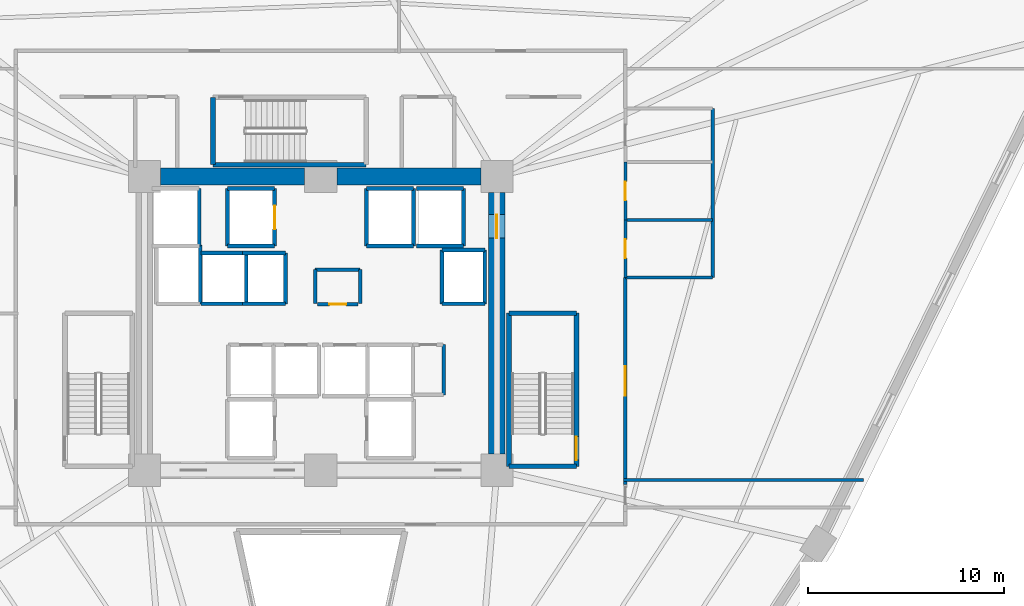
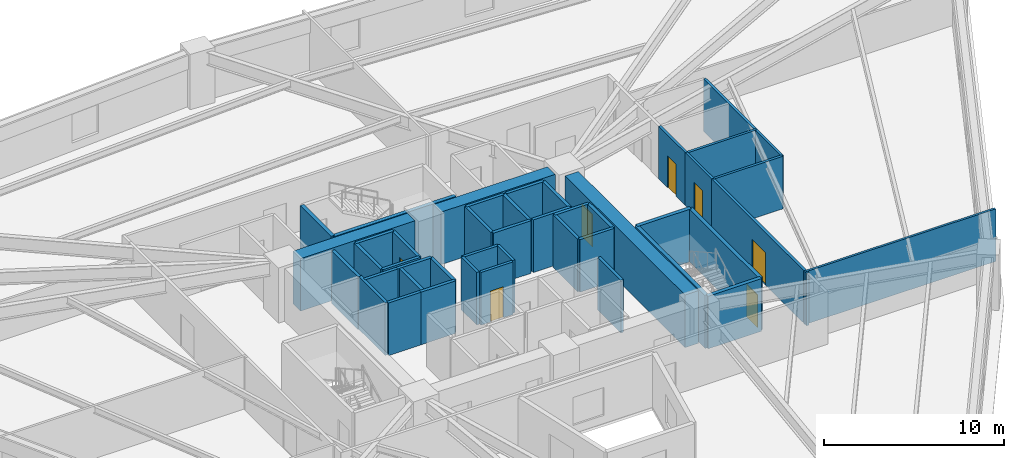
# One storey, part 5 of 8: 44 walls, 7 doors, 7 openings.
"""IFC4 building model written with IfcOpenShell, lengths in metres."""

from ifc_helpers import new_model, si_unit, direction, frame, frame_2d, origin, place, context, subcontext, project, spatial, rectangle, extrude, source, transform, mapped, material, layer, layer_set, type_object, element, fill, save


model = new_model("IFC4")

# Units and contexts
model_context = context("Model", 3, precision=1e-05, world=origin(), true_north=direction((0.0, 1.0)))
body_context = subcontext(model_context, "Body", "Model", "MODEL_VIEW")
ifc_project = project(units=[si_unit("LENGTHUNIT", "METRE"), si_unit("AREAUNIT", "SQUARE_METRE"), si_unit("VOLUMEUNIT", "CUBIC_METRE"), si_unit("PLANEANGLEUNIT", "RADIAN"), si_unit("MASSUNIT", "GRAM", prefix="KILO")], contexts=[model_context])

# Site, building, storey
site_placement = place(None, origin())
site = spatial("IfcSite", under=ifc_project, at=site_placement, CompositionType="ELEMENT")
building_placement = place(site_placement, origin())
building = spatial("IfcBuilding", under=site, at=building_placement, Name="Liaohun Quay Tower", CompositionType="ELEMENT")
storey_placement = place(building_placement, frame((0.0, 0.0, 63.0)))
storey = spatial("IfcBuildingStorey", under=building, at=storey_placement, Name="L16", CompositionType="ELEMENT", Elevation=63.0)

# Walls
ifc_material_1 = material(Name="Concrete C60", Category="concrete")
ifc_layer_1 = layer(ifc_material_1, 0.85009765625, Name="Concrete C60", Category="concrete")
ifc_layer_set_1 = layer_set([ifc_layer_1], Name="Concrete C60")
wall_type_1 = type_object("IfcWallType", Name="WAL-COR-Z1", PredefinedType="SHEAR", material=ifc_layer_set_1)
for number, where, z_axis, x_axis, name in (
    (1, (51.824951171875, 61.5, 0.0), (0.0, 0.0, 1.0), (1.0, 0.0, 0.0), "L16 Central Core Shear Wall N-W"),
    (2, (60.824951171875, 61.5, 0.0), (0.0, 0.0, 1.0), (1.0, 0.0, 0.0), "L16 Central Core Shear Wall N-E"),
):
    element("IfcWall", number, at=place(storey_placement, frame(where, z_axis=z_axis, x_axis=x_axis)), inside=storey, type_object=wall_type_1, Name=name, PredefinedType="SHEAR", context=body_context, shape_type="SweptSolid", body=[
        extrude(rectangle(XDim=7.35009765625, YDim=0.85009765625, at=frame_2d((3.675048828125, 0.0))), origin(), (0.0, 0.0, 1.0), 3.570068359375),
    ])

# Wall, opening, door
wall_1_placement = place(storey_placement, frame((69.0, 60.675048828125, 0.0), z_axis=(0.0, 0.0, 1.0), x_axis=(0.0, -1.0, 0.0)))
wall_1 = element("IfcWall", 3, at=wall_1_placement, inside=storey, type_object=wall_type_1, Name="L16 Central Core Shear Wall E", PredefinedType="SHEAR", context=body_context, shape_type="SweptSolid", body=[
    extrude(rectangle(XDim=13.35009765625, YDim=0.85009765625, at=frame_2d((6.675048828125, 0.0))), origin(), (0.0, 0.0, 1.0), 3.570068359375),
])
shared_shape_1 = source(origin(), body_context, "Body", "SweptSolid", [
    extrude(rectangle(XDim=1.199951171875, YDim=2.199951171875, at=frame_2d((0.60009765625, 1.10009765625))), frame((0.0, 0.43505859375, 0.0), z_axis=(0.0, -1.0, 0.0), x_axis=(1.0, 0.0, 0.0)), (0.0, 0.0, 1.0), 0.8701171875),
])
opening_1_placement = place(wall_1_placement, frame((1.125, 0.0, 0.0)))
opening_1 = element("IfcOpeningElement", 4, at=opening_1_placement, cuts=wall_1, Name="Opening SD1", PredefinedType="OPENING", context=body_context, shape_type="MappedRepresentation", body=[
    mapped(shared_shape_1, transform((0.0, 0.0, 0.0), x_axis=(1.0, 0.0, 0.0), y_axis=(0.0, 1.0, 0.0), z_axis=(0.0, 0.0, 1.0), scale=1.0)),
])
ifc_material_2 = material(Name="Galvanised steel fire door", Category="steel")
door_type_1 = type_object("IfcDoorType", Name="DOR-STR-1200", OperationType="NOTDEFINED", PredefinedType="DOOR", material=ifc_material_2)
shared_shape_2 = source(origin(), body_context, "Body", "SweptSolid", [
    extrude(rectangle(XDim=1.199951171875, YDim=2.199951171875, at=frame_2d((0.60009765625, 1.10009765625))), frame((0.0, 0.02490234375, 0.0), z_axis=(0.0, -1.0, 0.0), x_axis=(1.0, 0.0, 0.0)), (0.0, 0.0, 1.0), 0.050048828125),
])
door_1_placement = place(opening_1_placement, origin())
door_1 = element("IfcDoor", 5, at=door_1_placement, inside=storey, type_object=door_type_1, Name="L16 North-East Core Lobby Smokeproof Door", OperationType="SINGLE_SWING_LEFT", OverallHeight=2.199951171875, OverallWidth=1.199951171875, PredefinedType="DOOR", context=body_context, shape_type="MappedRepresentation", body=[
    mapped(shared_shape_2, transform((0.0, 0.0, 0.0), x_axis=(1.0, 0.0, 0.0), y_axis=(0.0, 1.0, 0.0), z_axis=(0.0, 0.0, 1.0), scale=1.0)),
])
fill(opening_1, door_1)

ifc_material_3 = material(Name="Autoclaved aerated concrete blockwork", Category="masonry")
ifc_layer_2 = layer(ifc_material_3, 0.179931640625, Name="Autoclaved aerated concrete blockwork", Category="masonry")
ifc_layer_set_2 = layer_set([ifc_layer_2], Name="Autoclaved aerated concrete blockwork")
wall_type_2 = type_object("IfcWallType", Name="WAL-PRT-COR", PredefinedType="PARTITIONING", material=ifc_layer_set_2)
wall_2_placement = place(storey_placement, frame((59.840087890625, 54.97998046875, 0.0), z_axis=(0.0, 0.0, 1.0), x_axis=(1.0, 0.0, 0.0)))
wall_2 = element("IfcWall", 6, at=wall_2_placement, inside=storey, type_object=wall_type_2, Name="L16 Interior Partition Wall 001", PredefinedType="PARTITIONING", context=body_context, shape_type="SweptSolid", body=[
    extrude(rectangle(XDim=2.059814453125, YDim=0.179931640625, at=frame_2d((1.02978515625, 0.0))), origin(), (0.0, 0.0, 1.0), 3.570068359375),
])
shared_shape_3 = source(origin(), body_context, "Body", "SweptSolid", [
    extrude(rectangle(XDim=0.85009765625, YDim=2.10009765625, at=frame_2d((0.425048828125, 1.050048828125))), frame((0.0, 0.099853515625, 0.0), z_axis=(0.0, -1.0, 0.0), x_axis=(1.0, 0.0, 0.0)), (0.0, 0.0, 1.0), 0.199951171875),
])
opening_2_placement = place(wall_2_placement, frame((0.60498046875, 0.0, 0.0)))
opening_2 = element("IfcOpeningElement", 7, at=opening_2_placement, cuts=wall_2, Name="Opening AD1", PredefinedType="OPENING", context=body_context, shape_type="MappedRepresentation", body=[
    mapped(shared_shape_3, transform((0.0, 0.0, 0.0), x_axis=(1.0, 0.0, 0.0), y_axis=(0.0, 1.0, 0.0), z_axis=(0.0, 0.0, 1.0), scale=1.0)),
])
ifc_material_4 = material(Name="Steel riser inspection fire door", Category="steel")
door_type_2 = type_object("IfcDoorType", Name="DOR-SHF-850", OperationType="NOTDEFINED", PredefinedType="DOOR", material=ifc_material_4)
shared_shape_4 = source(origin(), body_context, "Body", "SweptSolid", [
    extrude(rectangle(XDim=0.85009765625, YDim=2.10009765625, at=frame_2d((0.425048828125, 1.050048828125))), frame((0.0, 0.02490234375, 0.0), z_axis=(0.0, -1.0, 0.0), x_axis=(1.0, 0.0, 0.0)), (0.0, 0.0, 1.0), 0.050048828125),
])
door_2_placement = place(opening_2_placement, origin())
door_2 = element("IfcDoor", 8, at=door_2_placement, inside=storey, type_object=door_type_2, Name="L16 Electrical Meter Room Door", OperationType="SINGLE_SWING_LEFT", OverallHeight=2.10009765625, OverallWidth=0.85009765625, PredefinedType="DOOR", context=body_context, shape_type="MappedRepresentation", body=[
    mapped(shared_shape_4, transform((0.0, 0.0, 0.0), x_axis=(1.0, 0.0, 0.0), y_axis=(0.0, 1.0, 0.0), z_axis=(0.0, 0.0, 1.0), scale=1.0)),
])
fill(opening_2, door_2)

wall_3_placement = place(storey_placement, frame((75.56005859375, 56.340087890625, 0.0), z_axis=(0.0, 0.0, 1.0), x_axis=(0.0, -1.0, 0.0)))
wall_3 = element("IfcWall", 9, at=wall_3_placement, inside=storey, type_object=wall_type_2, Name="L16 Interior Partition Wall 010", PredefinedType="PARTITIONING", context=body_context, shape_type="SweptSolid", body=[
    extrude(rectangle(XDim=10.55517578125, YDim=0.179931640625, at=frame_2d((5.277587890625, 0.0))), origin(), (0.0, 0.0, 1.0), 3.570068359375),
])
shared_shape_5 = source(origin(), body_context, "Body", "SweptSolid", [
    extrude(rectangle(XDim=1.5, YDim=2.199951171875, at=frame_2d((0.75, 1.10009765625))), frame((0.0, 0.099853515625, 0.0), z_axis=(0.0, -1.0, 0.0), x_axis=(1.0, 0.0, 0.0)), (0.0, 0.0, 1.0), 0.199951171875),
])
opening_3_placement = place(wall_3_placement, frame((4.528076171875, 0.0, 0.0)))
opening_3 = element("IfcOpeningElement", 10, at=opening_3_placement, cuts=wall_3, Name="Opening OD2", PredefinedType="OPENING", context=body_context, shape_type="MappedRepresentation", body=[
    mapped(shared_shape_5, transform((0.0, 0.0, 0.0), x_axis=(1.0, 0.0, 0.0), y_axis=(0.0, 1.0, 0.0), z_axis=(0.0, 0.0, 1.0), scale=1.0)),
])
ifc_material_5 = material(Name="Acoustic oak veneer double door")
door_type_3 = type_object("IfcDoorType", Name="DOR-OFF-1500", OperationType="DOUBLE_DOOR_SINGLE_SWING", PredefinedType="DOOR", material=ifc_material_5)
shared_shape_6 = source(origin(), body_context, "Body", "SweptSolid", [
    extrude(rectangle(XDim=1.5, YDim=2.199951171875, at=frame_2d((0.75, 1.10009765625))), frame((0.0, 0.02490234375, 0.0), z_axis=(0.0, -1.0, 0.0), x_axis=(1.0, 0.0, 0.0)), (0.0, 0.0, 1.0), 0.050048828125),
])
door_3_placement = place(opening_3_placement, origin())
door_3 = element("IfcDoor", 11, at=door_3_placement, inside=storey, type_object=door_type_3, Name="L16 Architectural Design Studio 01 Door", OperationType="DOUBLE_DOOR_SINGLE_SWING", OverallHeight=2.199951171875, OverallWidth=1.5, PredefinedType="DOOR", context=body_context, shape_type="MappedRepresentation", body=[
    mapped(shared_shape_6, transform((0.0, 0.0, 0.0), x_axis=(1.0, 0.0, 0.0), y_axis=(0.0, 1.0, 0.0), z_axis=(0.0, 0.0, 1.0), scale=1.0)),
])
fill(opening_3, door_3)

# Walls
for number, where, z_axis, x_axis, name in (
    (12, (59.719970703125, 55.02001953125, 0.0), (0.0, 0.0, 1.0), (0.0, 1.0, 0.0), "L16 Interior Partition Wall 017"),
    (13, (62.010009765625, 55.02001953125, 0.0), (0.0, 0.0, 1.0), (0.0, 1.0, 0.0), "L16 Interior Partition Wall 018"),
):
    element("IfcWall", number, at=place(storey_placement, frame(where, z_axis=z_axis, x_axis=x_axis)), inside=storey, type_object=wall_type_2, Name=name, PredefinedType="PARTITIONING", context=body_context, shape_type="SweptSolid", body=[
        extrude(rectangle(XDim=1.72998046875, YDim=0.179931640625, at=frame_2d((0.864990234375, 0.0))), origin(), (0.0, 0.0, 1.0), 3.570068359375),
    ])
wall_4_placement = place(storey_placement, frame((59.719970703125, 56.75, 0.0), z_axis=(0.0, 0.0, 1.0), x_axis=(1.0, 0.0, 0.0)))
element("IfcWall", 14, at=wall_4_placement, inside=storey, type_object=wall_type_2, Name="L16 Interior Partition Wall 019", PredefinedType="PARTITIONING", context=body_context, shape_type="SweptSolid", body=[
    extrude(rectangle(XDim=2.2900390625, YDim=0.179931640625, at=frame_2d((1.14501953125, 0.0))), origin(), (0.0, 0.0, 1.0), 3.570068359375),
])
wall_5_placement = place(storey_placement, frame((66.280029296875, 50.35009765625, 0.0), z_axis=(0.0, 0.0, 1.0), x_axis=(0.0, 1.0, 0.0)))
element("IfcWall", 15, at=wall_5_placement, inside=storey, type_object=wall_type_2, Name="L16 Interior Partition Wall 021", PredefinedType="PARTITIONING", context=body_context, shape_type="SweptSolid", body=[
    extrude(rectangle(XDim=2.56982421875, YDim=0.179931640625, at=frame_2d((1.284912109375, 0.0))), origin(), (0.0, 0.0, 1.0), 3.570068359375),
])
ifc_material_6 = material(Name="Gypsum board on twin steel studs", Category="steel")
ifc_layer_3 = layer(ifc_material_6, 0.139892578125, Name="Gypsum board on twin steel studs", Category="steel")
ifc_layer_set_3 = layer_set([ifc_layer_3], Name="Gypsum board on twin steel studs")
wall_type_3 = type_object("IfcWallType", Name="WAL-PRT-OFF", PredefinedType="PARTITIONING", material=ifc_layer_set_3)
wall_6_placement = place(storey_placement, frame((75.4599609375, 46.0, 0.0), z_axis=(0.0, 0.0, 1.0), x_axis=(1.0, 0.0, 0.0)))
element("IfcWall", 16, at=wall_6_placement, inside=storey, type_object=wall_type_3, Name="L16 Interior Partition Wall 040", PredefinedType="PARTITIONING", context=body_context, shape_type="SweptSolid", body=[
    extrude(rectangle(XDim=12.255126953125, YDim=0.139892578125, at=frame_2d((6.12744140625, 0.0))), origin(), (0.0, 0.0, 1.0), 3.570068359375),
])

# Wall, opening, door
ifc_material_7 = material(Name="Moisture-resistant masonry blockwork", Category="masonry")
ifc_layer_4 = layer(ifc_material_7, 0.159912109375, Name="Moisture-resistant masonry blockwork", Category="masonry")
ifc_layer_set_4 = layer_set([ifc_layer_4], Name="Moisture-resistant masonry blockwork")
wall_type_4 = type_object("IfcWallType", Name="WAL-PRT-WET", PredefinedType="PARTITIONING", material=ifc_layer_set_4)
wall_7_placement = place(storey_placement, frame((75.56005859375, 56.340087890625, 0.0), z_axis=(0.0, 0.0, 1.0), x_axis=(0.0, 1.0, 0.0)))
wall_7 = element("IfcWall", 17, at=wall_7_placement, inside=storey, type_object=wall_type_4, Name="L16 Interior Partition Wall 003", PredefinedType="PARTITIONING", context=body_context, shape_type="SweptSolid", body=[
    extrude(rectangle(XDim=2.93994140625, YDim=0.159912109375, at=frame_2d((1.469970703125, 0.0))), origin(), (0.0, 0.0, 1.0), 3.570068359375),
])
shared_shape_7 = source(origin(), body_context, "Body", "SweptSolid", [
    extrude(rectangle(XDim=0.949951171875, YDim=2.14990234375, at=frame_2d((0.47509765625, 1.074951171875))), frame((0.0, 0.08984375, 0.0), z_axis=(0.0, -1.0, 0.0), x_axis=(1.0, 0.0, 0.0)), (0.0, 0.0, 1.0), 0.179931640625),
])
opening_4_placement = place(wall_7_placement, frame((0.9951171875, 0.0, 0.0)))
opening_4 = element("IfcOpeningElement", 18, at=opening_4_placement, cuts=wall_7, Name="Opening WD1", PredefinedType="OPENING", context=body_context, shape_type="MappedRepresentation", body=[
    mapped(shared_shape_7, transform((0.0, 0.0, 0.0), x_axis=(1.0, 0.0, 0.0), y_axis=(0.0, 1.0, 0.0), z_axis=(0.0, 0.0, 1.0), scale=1.0)),
])
ifc_material_8 = material(Name="Moisture-resistant laminate timber leaf", Category="wood")
door_type_4 = type_object("IfcDoorType", Name="DOR-WC-950", OperationType="NOTDEFINED", PredefinedType="DOOR", material=ifc_material_8)
shared_shape_8 = source(origin(), body_context, "Body", "SweptSolid", [
    extrude(rectangle(XDim=0.949951171875, YDim=2.14990234375, at=frame_2d((0.47509765625, 1.074951171875))), frame((0.0, 0.02490234375, 0.0), z_axis=(0.0, -1.0, 0.0), x_axis=(1.0, 0.0, 0.0)), (0.0, 0.0, 1.0), 0.050048828125),
])
door_4_placement = place(opening_4_placement, origin())
door_4 = element("IfcDoor", 19, at=door_4_placement, inside=storey, type_object=door_type_4, Name="L16 Male Restroom WC Door", OperationType="SINGLE_SWING_LEFT", OverallHeight=2.14990234375, OverallWidth=0.949951171875, PredefinedType="DOOR", context=body_context, shape_type="MappedRepresentation", body=[
    mapped(shared_shape_8, transform((0.0, 0.0, 0.0), x_axis=(1.0, 0.0, 0.0), y_axis=(0.0, 1.0, 0.0), z_axis=(0.0, 0.0, 1.0), scale=1.0)),
])
fill(opening_4, door_4)

wall_8_placement = place(storey_placement, frame((75.56005859375, 59.280029296875, 0.0), z_axis=(0.0, 0.0, 1.0), x_axis=(0.0, 1.0, 0.0)))
wall_8 = element("IfcWall", 20, at=wall_8_placement, inside=storey, type_object=wall_type_4, Name="L16 Interior Partition Wall 004", PredefinedType="PARTITIONING", context=body_context, shape_type="SweptSolid", body=[
    extrude(rectangle(XDim=2.9599609375, YDim=0.159912109375, at=frame_2d((1.47998046875, 0.0))), origin(), (0.0, 0.0, 1.0), 3.570068359375),
])
opening_5_placement = place(wall_8_placement, frame((1.0048828125, 0.0, 0.0)))
opening_5 = element("IfcOpeningElement", 21, at=opening_5_placement, cuts=wall_8, Name="Opening WD1", PredefinedType="OPENING", context=body_context, shape_type="MappedRepresentation", body=[
    mapped(shared_shape_7, transform((0.0, 0.0, 0.0), x_axis=(1.0, 0.0, 0.0), y_axis=(0.0, 1.0, 0.0), z_axis=(0.0, 0.0, 1.0), scale=1.0)),
])
door_5_placement = place(opening_5_placement, origin())
door_5 = element("IfcDoor", 22, at=door_5_placement, inside=storey, type_object=door_type_4, Name="L16 Female Restroom WC Door", OperationType="SINGLE_SWING_RIGHT", OverallHeight=2.14990234375, OverallWidth=0.949951171875, PredefinedType="DOOR", context=body_context, shape_type="MappedRepresentation", body=[
    mapped(shared_shape_8, transform((0.0, 0.0, 0.0), x_axis=(1.0, 0.0, 0.0), y_axis=(0.0, 1.0, 0.0), z_axis=(0.0, 0.0, 1.0), scale=1.0)),
])
fill(opening_5, door_5)

# Walls
wall_9_placement = place(storey_placement, frame((80.02001953125, 56.340087890625, 0.0), z_axis=(0.0, 0.0, 1.0), x_axis=(0.0, 1.0, 0.0)))
element("IfcWall", 23, at=wall_9_placement, inside=storey, type_object=wall_type_4, Name="L16 Interior Partition Wall 022", PredefinedType="PARTITIONING", context=body_context, shape_type="SweptSolid", body=[
    extrude(rectangle(XDim=8.639892578125, YDim=0.159912109375, at=frame_2d((4.31982421875, 0.0))), origin(), (0.0, 0.0, 1.0), 3.570068359375),
])
for number, where, z_axis, x_axis, name in (
    (24, (75.56005859375, 56.340087890625, 0.0), (0.0, 0.0, 1.0), (1.0, 0.0, 0.0), "L16 Interior Partition Wall 023"),
    (25, (75.56005859375, 59.280029296875, 0.0), (0.0, 0.0, 1.0), (1.0, 0.0, 0.0), "L16 Interior Partition Wall 024"),
):
    element("IfcWall", number, at=place(storey_placement, frame(where, z_axis=z_axis, x_axis=x_axis)), inside=storey, type_object=wall_type_4, Name=name, PredefinedType="PARTITIONING", context=body_context, shape_type="SweptSolid", body=[
        extrude(rectangle(XDim=4.4599609375, YDim=0.159912109375, at=frame_2d((2.22998046875, 0.0))), origin(), (0.0, 0.0, 1.0), 3.570068359375),
    ])
ifc_material_9 = material(Name="Concrete C50", Category="concrete")
ifc_layer_5 = layer(ifc_material_9, 0.239990234375, Name="Concrete C50", Category="concrete")
ifc_layer_set_5 = layer_set([ifc_layer_5], Name="Concrete C50")
wall_type_5 = type_object("IfcWallType", Name="WAL-SHF-200", PredefinedType="SOLIDWALL", material=ifc_layer_set_5)
wall_10_placement = place(storey_placement, frame((69.6201171875, 46.699951171875, 0.0), z_axis=(0.0, 0.0, 1.0), x_axis=(1.0, 0.0, 0.0)))
element("IfcWall", 26, at=wall_10_placement, inside=storey, type_object=wall_type_5, Name="L16 Stairwell ST-2 Structural Core Wall S", PredefinedType="SOLIDWALL", context=body_context, shape_type="SweptSolid", body=[
    extrude(rectangle(XDim=3.43994140625, YDim=0.239990234375, at=frame_2d((1.719970703125, 0.0))), origin(), (0.0, 0.0, 1.0), 3.570068359375),
])

# Wall, opening, door
wall_11_placement = place(storey_placement, frame((73.06005859375, 46.699951171875, 0.0), z_axis=(0.0, 0.0, 1.0), x_axis=(0.0, 1.0, 0.0)))
wall_11 = element("IfcWall", 27, at=wall_11_placement, inside=storey, type_object=wall_type_5, Name="L16 Stairwell ST-2 Structural Core Wall E", PredefinedType="SOLIDWALL", context=body_context, shape_type="SweptSolid", body=[
    extrude(rectangle(XDim=7.820068359375, YDim=0.239990234375, at=frame_2d((3.91015625, 0.0))), origin(), (0.0, 0.0, 1.0), 3.570068359375),
])
shared_shape_9 = source(origin(), body_context, "Body", "SweptSolid", [
    extrude(rectangle(XDim=1.199951171875, YDim=2.199951171875, at=frame_2d((0.60009765625, 1.10009765625))), frame((0.0, 0.1298828125, 0.0), z_axis=(0.0, -1.0, 0.0), x_axis=(1.0, 0.0, 0.0)), (0.0, 0.0, 1.0), 0.260009765625),
])
opening_6_placement = place(wall_11_placement, frame((0.320068359375, 0.0, 0.0)))
opening_6 = element("IfcOpeningElement", 28, at=opening_6_placement, cuts=wall_11, Name="Opening SD1", PredefinedType="OPENING", context=body_context, shape_type="MappedRepresentation", body=[
    mapped(shared_shape_9, transform((0.0, 0.0, 0.0), x_axis=(1.0, 0.0, 0.0), y_axis=(0.0, 1.0, 0.0), z_axis=(0.0, 0.0, 1.0), scale=1.0)),
])
door_6_placement = place(opening_6_placement, origin())
door_6 = element("IfcDoor", 29, at=door_6_placement, inside=storey, type_object=door_type_1, Name="L16 Protected Stair ST-2 Fire Door", OperationType="SINGLE_SWING_RIGHT", OverallHeight=2.199951171875, OverallWidth=1.199951171875, PredefinedType="DOOR", context=body_context, shape_type="MappedRepresentation", body=[
    mapped(shared_shape_2, transform((0.0, 0.0, 0.0), x_axis=(1.0, 0.0, 0.0), y_axis=(0.0, 1.0, 0.0), z_axis=(0.0, 0.0, 1.0), scale=1.0)),
])
fill(opening_6, door_6)

# Walls
wall_12_placement = place(storey_placement, frame((73.06005859375, 54.52001953125, 0.0), z_axis=(0.0, 0.0, 1.0), x_axis=(-1.0, 0.0, 0.0)))
element("IfcWall", 30, at=wall_12_placement, inside=storey, type_object=wall_type_5, Name="L16 Stairwell ST-2 Structural Core Wall N", PredefinedType="SOLIDWALL", context=body_context, shape_type="SweptSolid", body=[
    extrude(rectangle(XDim=3.43994140625, YDim=0.239990234375, at=frame_2d((1.719970703125, 0.0))), origin(), (0.0, 0.0, 1.0), 3.570068359375),
])
for number, where, z_axis, x_axis, name in (
    (31, (69.6201171875, 54.52001953125, 0.0), (0.0, 0.0, 1.0), (0.0, -1.0, 0.0), "L16 Stairwell ST-2 Structural Core Wall W"),
    (32, (54.5, 62.10009765625, 0.0), (0.0, 0.0, 1.0), (1.0, 0.0, 0.0), "L16 Stairwell ST-3 Structural Core Wall S"),
):
    element("IfcWall", number, at=place(storey_placement, frame(where, z_axis=z_axis, x_axis=x_axis)), inside=storey, type_object=wall_type_5, Name=name, PredefinedType="SOLIDWALL", context=body_context, shape_type="SweptSolid", body=[
        extrude(rectangle(XDim=7.820068359375, YDim=0.239990234375, at=frame_2d((3.91015625, 0.0))), origin(), (0.0, 0.0, 1.0), 3.570068359375),
    ])
wall_13_placement = place(storey_placement, frame((54.5, 65.5400390625, 0.0), z_axis=(0.0, 0.0, 1.0), x_axis=(0.0, -1.0, 0.0)))
element("IfcWall", 33, at=wall_13_placement, inside=storey, type_object=wall_type_5, Name="L16 Stairwell ST-3 Structural Core Wall W", PredefinedType="SOLIDWALL", context=body_context, shape_type="SweptSolid", body=[
    extrude(rectangle(XDim=3.43994140625, YDim=0.239990234375, at=frame_2d((1.719970703125, 0.0))), origin(), (0.0, 0.0, 1.0), 3.570068359375),
])
wall_14_placement = place(storey_placement, frame((55.25, 57.949951171875, 0.0), z_axis=(0.0, 0.0, 1.0), x_axis=(1.0, 0.0, 0.0)))
element("IfcWall", 34, at=wall_14_placement, inside=storey, type_object=wall_type_5, Name="L16 Lift FF-03 Hoistway Wall S", PredefinedType="SOLIDWALL", context=body_context, shape_type="SweptSolid", body=[
    extrude(rectangle(XDim=2.39990234375, YDim=0.199951171875, at=frame_2d((1.199951171875, 0.0))), origin(), (0.0, 0.0, 1.0), 3.570068359375),
])

# Wall, opening, door
wall_15_placement = place(storey_placement, frame((57.64990234375, 57.949951171875, 0.0), z_axis=(0.0, 0.0, 1.0), x_axis=(0.0, 1.0, 0.0)))
wall_15 = element("IfcWall", 35, at=wall_15_placement, inside=storey, type_object=wall_type_5, Name="L16 Lift FF-03 Hoistway Wall E", PredefinedType="SOLIDWALL", context=body_context, shape_type="SweptSolid", body=[
    extrude(rectangle(XDim=2.929931640625, YDim=0.199951171875, at=frame_2d((1.46484375, 0.0))), origin(), (0.0, 0.0, 1.0), 3.570068359375),
])
shared_shape_10 = source(origin(), body_context, "Body", "SweptSolid", [
    extrude(rectangle(XDim=1.199951171875, YDim=2.300048828125, at=frame_2d((0.60009765625, 1.14990234375))), frame((0.0, 0.10986328125, 0.0), z_axis=(0.0, -1.0, 0.0), x_axis=(1.0, 0.0, 0.0)), (0.0, 0.0, 1.0), 0.219970703125),
])
opening_7_placement = place(wall_15_placement, frame((0.864990234375, 0.0, 0.0)))
opening_7 = element("IfcOpeningElement", 36, at=opening_7_placement, cuts=wall_15, Name="Opening LD2", PredefinedType="OPENING", context=body_context, shape_type="MappedRepresentation", body=[
    mapped(shared_shape_10, transform((0.0, 0.0, 0.0), x_axis=(1.0, 0.0, 0.0), y_axis=(0.0, 1.0, 0.0), z_axis=(0.0, 0.0, 1.0), scale=1.0)),
])
ifc_material_10 = material(Name="Brushed stainless steel stretcher landing door", Category="steel")
door_type_5 = type_object("IfcDoorType", Name="DOR-LFT-1200", OperationType="SLIDING_TO_LEFT", PredefinedType="DOOR", material=ifc_material_10)
shared_shape_11 = source(origin(), body_context, "Body", "SweptSolid", [
    extrude(rectangle(XDim=1.199951171875, YDim=2.300048828125, at=frame_2d((0.60009765625, 1.14990234375))), frame((0.0, 0.02490234375, 0.0), z_axis=(0.0, -1.0, 0.0), x_axis=(1.0, 0.0, 0.0)), (0.0, 0.0, 1.0), 0.050048828125),
])
door_7_placement = place(opening_7_placement, origin())
door_7 = element("IfcDoor", 37, at=door_7_placement, inside=storey, type_object=door_type_5, Name="L16 Lift FF-03 Sliding Landing Door", OperationType="SLIDING_TO_LEFT", OverallHeight=2.300048828125, OverallWidth=1.199951171875, PredefinedType="DOOR", context=body_context, shape_type="MappedRepresentation", body=[
    mapped(shared_shape_11, transform((0.0, 0.0, 0.0), x_axis=(1.0, 0.0, 0.0), y_axis=(0.0, 1.0, 0.0), z_axis=(0.0, 0.0, 1.0), scale=1.0)),
])
fill(opening_7, door_7)

# Walls
wall_16_placement = place(storey_placement, frame((57.64990234375, 60.8798828125, 0.0), z_axis=(0.0, 0.0, 1.0), x_axis=(-1.0, 0.0, 0.0)))
element("IfcWall", 38, at=wall_16_placement, inside=storey, type_object=wall_type_5, Name="L16 Lift FF-03 Hoistway Wall N", PredefinedType="SOLIDWALL", context=body_context, shape_type="SweptSolid", body=[
    extrude(rectangle(XDim=2.39990234375, YDim=0.199951171875, at=frame_2d((1.199951171875, 0.0))), origin(), (0.0, 0.0, 1.0), 3.570068359375),
])
wall_17_placement = place(storey_placement, frame((55.25, 60.8798828125, 0.0), z_axis=(0.0, 0.0, 1.0), x_axis=(0.0, -1.0, 0.0)))
element("IfcWall", 39, at=wall_17_placement, inside=storey, type_object=wall_type_5, Name="L16 Lift FF-03 Hoistway Wall W", PredefinedType="SOLIDWALL", context=body_context, shape_type="SweptSolid", body=[
    extrude(rectangle(XDim=2.929931640625, YDim=0.199951171875, at=frame_2d((1.46484375, 0.0))), origin(), (0.0, 0.0, 1.0), 3.570068359375),
])
wall_18_placement = place(storey_placement, frame((62.35009765625, 57.949951171875, 0.0), z_axis=(0.0, 0.0, 1.0), x_axis=(1.0, 0.0, 0.0)))
element("IfcWall", 40, at=wall_18_placement, inside=storey, type_object=wall_type_5, Name="L16 Lift OB-01 Hoistway Wall S", PredefinedType="SOLIDWALL", context=body_context, shape_type="SweptSolid", body=[
    extrude(rectangle(XDim=2.39990234375, YDim=0.199951171875, at=frame_2d((1.199951171875, 0.0))), origin(), (0.0, 0.0, 1.0), 3.570068359375),
])
wall_19_placement = place(storey_placement, frame((64.75, 57.949951171875, 0.0), z_axis=(0.0, 0.0, 1.0), x_axis=(0.0, 1.0, 0.0)))
element("IfcWall", 41, at=wall_19_placement, inside=storey, type_object=wall_type_5, Name="L16 Lift OB-01 Hoistway Wall E", PredefinedType="SOLIDWALL", context=body_context, shape_type="SweptSolid", body=[
    extrude(rectangle(XDim=2.929931640625, YDim=0.199951171875, at=frame_2d((1.46484375, 0.0))), origin(), (0.0, 0.0, 1.0), 3.570068359375),
])
wall_20_placement = place(storey_placement, frame((64.75, 60.8798828125, 0.0), z_axis=(0.0, 0.0, 1.0), x_axis=(-1.0, 0.0, 0.0)))
element("IfcWall", 42, at=wall_20_placement, inside=storey, type_object=wall_type_5, Name="L16 Lift OB-01 Hoistway Wall N", PredefinedType="SOLIDWALL", context=body_context, shape_type="SweptSolid", body=[
    extrude(rectangle(XDim=2.39990234375, YDim=0.199951171875, at=frame_2d((1.199951171875, 0.0))), origin(), (0.0, 0.0, 1.0), 3.570068359375),
])
wall_21_placement = place(storey_placement, frame((62.35009765625, 60.8798828125, 0.0), z_axis=(0.0, 0.0, 1.0), x_axis=(0.0, -1.0, 0.0)))
element("IfcWall", 43, at=wall_21_placement, inside=storey, type_object=wall_type_5, Name="L16 Lift OB-01 Hoistway Wall W", PredefinedType="SOLIDWALL", context=body_context, shape_type="SweptSolid", body=[
    extrude(rectangle(XDim=2.929931640625, YDim=0.199951171875, at=frame_2d((1.46484375, 0.0))), origin(), (0.0, 0.0, 1.0), 3.570068359375),
])
wall_22_placement = place(storey_placement, frame((64.89990234375, 57.949951171875, 0.0), z_axis=(0.0, 0.0, 1.0), x_axis=(1.0, 0.0, 0.0)))
element("IfcWall", 44, at=wall_22_placement, inside=storey, type_object=wall_type_5, Name="L16 Lift OB-02 Hoistway Wall S", PredefinedType="SOLIDWALL", context=body_context, shape_type="SweptSolid", body=[
    extrude(rectangle(XDim=2.400146484375, YDim=0.199951171875, at=frame_2d((1.2001953125, 0.0))), origin(), (0.0, 0.0, 1.0), 3.570068359375),
])
wall_23_placement = place(storey_placement, frame((67.300048828125, 57.949951171875, 0.0), z_axis=(0.0, 0.0, 1.0), x_axis=(0.0, 1.0, 0.0)))
element("IfcWall", 45, at=wall_23_placement, inside=storey, type_object=wall_type_5, Name="L16 Lift OB-02 Hoistway Wall E", PredefinedType="SOLIDWALL", context=body_context, shape_type="SweptSolid", body=[
    extrude(rectangle(XDim=2.929931640625, YDim=0.199951171875, at=frame_2d((1.46484375, 0.0))), origin(), (0.0, 0.0, 1.0), 3.570068359375),
])
wall_24_placement = place(storey_placement, frame((67.300048828125, 60.8798828125, 0.0), z_axis=(0.0, 0.0, 1.0), x_axis=(-1.0, 0.0, 0.0)))
element("IfcWall", 46, at=wall_24_placement, inside=storey, type_object=wall_type_5, Name="L16 Lift OB-02 Hoistway Wall N", PredefinedType="SOLIDWALL", context=body_context, shape_type="SweptSolid", body=[
    extrude(rectangle(XDim=2.400146484375, YDim=0.199951171875, at=frame_2d((1.2001953125, 0.0))), origin(), (0.0, 0.0, 1.0), 3.570068359375),
])
wall_25_placement = place(storey_placement, frame((53.800048828125, 57.949951171875, 0.0), z_axis=(0.0, 0.0, 1.0), x_axis=(0.0, 1.0, 0.0)))
element("IfcWall", 47, at=wall_25_placement, inside=storey, type_object=wall_type_5, Name="L16 Lift SH-01 Hoistway Wall E", PredefinedType="SOLIDWALL", context=body_context, shape_type="SweptSolid", body=[
    extrude(rectangle(XDim=2.929931640625, YDim=0.199951171875, at=frame_2d((1.46484375, 0.0))), origin(), (0.0, 0.0, 1.0), 3.570068359375),
])
wall_26_placement = place(storey_placement, frame((53.85009765625, 55.0, 0.0), z_axis=(0.0, 0.0, 1.0), x_axis=(0.0, 1.0, 0.0)))
element("IfcWall", 48, at=wall_26_placement, inside=storey, type_object=wall_type_5, Name="L16 Lift SH-02 Hoistway Wall E", PredefinedType="SOLIDWALL", context=body_context, shape_type="SweptSolid", body=[
    extrude(rectangle(XDim=3.0, YDim=0.199951171875, at=frame_2d((1.5, 0.0))), origin(), (0.0, 0.0, 1.0), 3.570068359375),
])
wall_27_placement = place(storey_placement, frame((66.199951171875, 55.0, 0.0), z_axis=(0.0, 0.0, 1.0), x_axis=(1.0, 0.0, 0.0)))
element("IfcWall", 49, at=wall_27_placement, inside=storey, type_object=wall_type_5, Name="L16 Lift SH-03 Hoistway Wall S", PredefinedType="SOLIDWALL", context=body_context, shape_type="SweptSolid", body=[
    extrude(rectangle(XDim=2.179931640625, YDim=0.199951171875, at=frame_2d((1.08984375, 0.0))), origin(), (0.0, 0.0, 1.0), 3.570068359375),
])
wall_28_placement = place(storey_placement, frame((68.3798828125, 55.0, 0.0), z_axis=(0.0, 0.0, 1.0), x_axis=(0.0, 1.0, 0.0)))
element("IfcWall", 50, at=wall_28_placement, inside=storey, type_object=wall_type_5, Name="L16 Lift SH-03 Hoistway Wall E", PredefinedType="SOLIDWALL", context=body_context, shape_type="SweptSolid", body=[
    extrude(rectangle(XDim=2.75, YDim=0.199951171875, at=frame_2d((1.375, 0.0))), origin(), (0.0, 0.0, 1.0), 3.570068359375),
])
wall_29_placement = place(storey_placement, frame((68.3798828125, 57.75, 0.0), z_axis=(0.0, 0.0, 1.0), x_axis=(-1.0, 0.0, 0.0)))
element("IfcWall", 51, at=wall_29_placement, inside=storey, type_object=wall_type_5, Name="L16 Lift SH-03 Hoistway Wall N", PredefinedType="SOLIDWALL", context=body_context, shape_type="SweptSolid", body=[
    extrude(rectangle(XDim=2.179931640625, YDim=0.199951171875, at=frame_2d((1.08984375, 0.0))), origin(), (0.0, 0.0, 1.0), 3.570068359375),
])
wall_30_placement = place(storey_placement, frame((66.199951171875, 57.75, 0.0), z_axis=(0.0, 0.0, 1.0), x_axis=(0.0, -1.0, 0.0)))
element("IfcWall", 52, at=wall_30_placement, inside=storey, type_object=wall_type_5, Name="L16 Lift SH-03 Hoistway Wall W", PredefinedType="SOLIDWALL", context=body_context, shape_type="SweptSolid", body=[
    extrude(rectangle(XDim=2.75, YDim=0.199951171875, at=frame_2d((1.375, 0.0))), origin(), (0.0, 0.0, 1.0), 3.570068359375),
])
wall_31_placement = place(storey_placement, frame((53.89990234375, 55.0, 0.0), z_axis=(0.0, 0.0, 1.0), x_axis=(1.0, 0.0, 0.0)))
element("IfcWall", 53, at=wall_31_placement, inside=storey, type_object=wall_type_5, Name="L16 Lift PL-2B Hoistway Wall S", PredefinedType="SOLIDWALL", context=body_context, shape_type="SweptSolid", body=[
    extrude(rectangle(XDim=2.300048828125, YDim=0.199951171875, at=frame_2d((1.14990234375, 0.0))), origin(), (0.0, 0.0, 1.0), 3.570068359375),
])
wall_32_placement = place(storey_placement, frame((56.199951171875, 55.0, 0.0), z_axis=(0.0, 0.0, 1.0), x_axis=(0.0, 1.0, 0.0)))
element("IfcWall", 54, at=wall_32_placement, inside=storey, type_object=wall_type_5, Name="L16 Lift PL-2B Hoistway Wall E", PredefinedType="SOLIDWALL", context=body_context, shape_type="SweptSolid", body=[
    extrude(rectangle(XDim=2.60009765625, YDim=0.199951171875, at=frame_2d((1.300048828125, 0.0))), origin(), (0.0, 0.0, 1.0), 3.570068359375),
])
wall_33_placement = place(storey_placement, frame((56.199951171875, 57.60009765625, 0.0), z_axis=(0.0, 0.0, 1.0), x_axis=(-1.0, 0.0, 0.0)))
element("IfcWall", 55, at=wall_33_placement, inside=storey, type_object=wall_type_5, Name="L16 Lift PL-2B Hoistway Wall N", PredefinedType="SOLIDWALL", context=body_context, shape_type="SweptSolid", body=[
    extrude(rectangle(XDim=2.300048828125, YDim=0.199951171875, at=frame_2d((1.14990234375, 0.0))), origin(), (0.0, 0.0, 1.0), 3.570068359375),
])
wall_34_placement = place(storey_placement, frame((56.0, 55.0, 0.0), z_axis=(0.0, 0.0, 1.0), x_axis=(1.0, 0.0, 0.0)))
element("IfcWall", 56, at=wall_34_placement, inside=storey, type_object=wall_type_5, Name="L16 Lift PL-2C Hoistway Wall S", PredefinedType="SOLIDWALL", context=body_context, shape_type="SweptSolid", body=[
    extrude(rectangle(XDim=2.199951171875, YDim=0.199951171875, at=frame_2d((1.10009765625, 0.0))), origin(), (0.0, 0.0, 1.0), 3.570068359375),
])
wall_35_placement = place(storey_placement, frame((58.199951171875, 55.0, 0.0), z_axis=(0.0, 0.0, 1.0), x_axis=(0.0, 1.0, 0.0)))
element("IfcWall", 57, at=wall_35_placement, inside=storey, type_object=wall_type_5, Name="L16 Lift PL-2C Hoistway Wall E", PredefinedType="SOLIDWALL", context=body_context, shape_type="SweptSolid", body=[
    extrude(rectangle(XDim=2.60009765625, YDim=0.199951171875, at=frame_2d((1.300048828125, 0.0))), origin(), (0.0, 0.0, 1.0), 3.570068359375),
])
wall_36_placement = place(storey_placement, frame((58.199951171875, 57.60009765625, 0.0), z_axis=(0.0, 0.0, 1.0), x_axis=(-1.0, 0.0, 0.0)))
element("IfcWall", 58, at=wall_36_placement, inside=storey, type_object=wall_type_5, Name="L16 Lift PL-2C Hoistway Wall N", PredefinedType="SOLIDWALL", context=body_context, shape_type="SweptSolid", body=[
    extrude(rectangle(XDim=2.199951171875, YDim=0.199951171875, at=frame_2d((1.10009765625, 0.0))), origin(), (0.0, 0.0, 1.0), 3.570068359375),
])

save(model, "model.ifc")
